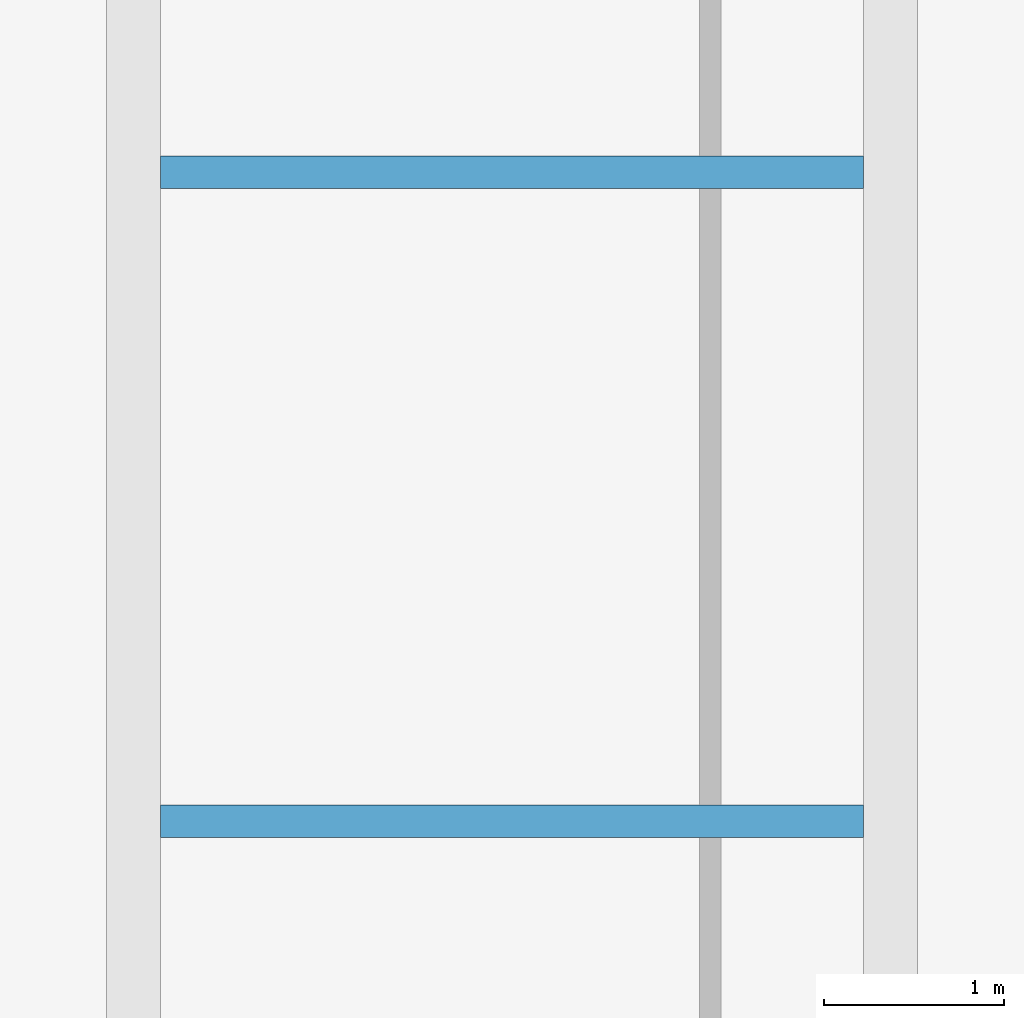
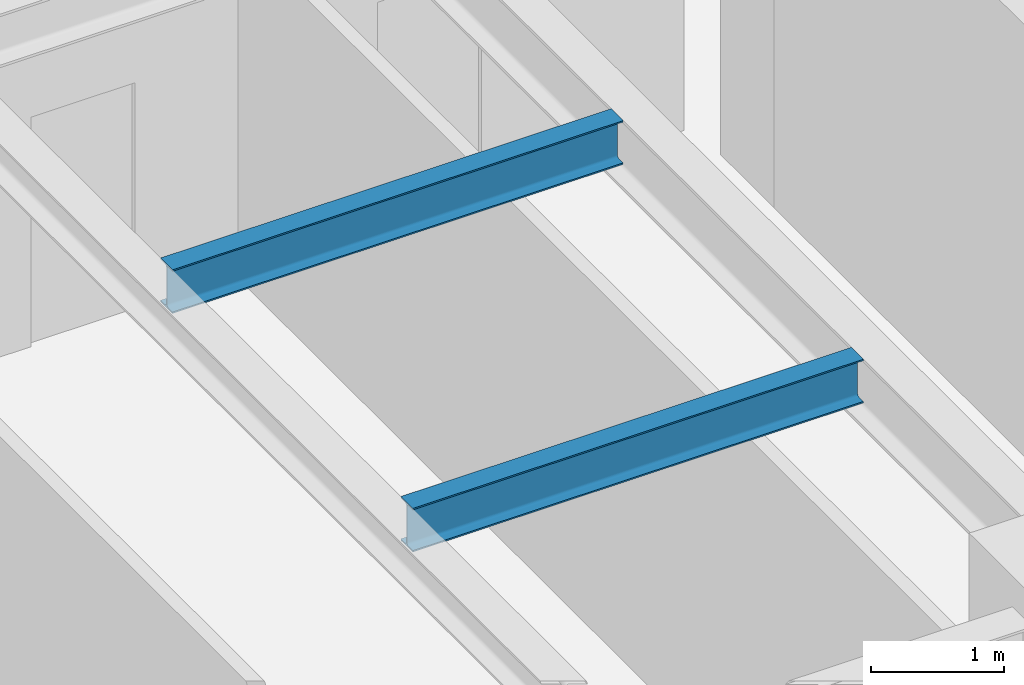
# One storey, part 6 of 24: 2 beams.
"""IFC4 building model written with IfcOpenShell, lengths in metres."""

import ifcopenshell
import ifcopenshell.guid

model = None  # the IFC model being written
_history = None  # IfcOwnerHistory: only IFC2X3 demands one
_inside = {}  # id of a spatial element -> (the spatial element, [elements in it])
_under = {}  # id of a project, library or spatial element -> (it, [spatial elements below it])
_declared = {}  # id of a project -> (the project, [libraries it declares])
_typed = {}  # id of a type object -> (the type object, [elements of that type])
_made_of = {}  # id of a material, layer set ... -> (it, [elements and type objects made of it])


def new_model(schema):
    """Start an empty IFC model of exactly this schema.

    Asked for "IFC4X3", IfcOpenShell would pick the latest addendum, in which some entities
    have other attributes; the version numbers below select the first issue.
    IFC2X3 requires an IfcOwnerHistory on every rooted entity: one is made here for all.
    """
    global model, _history
    if schema == "IFC4X3":
        model = ifcopenshell.file(schema_version=(4, 3, 0, 0))
    else:
        model = ifcopenshell.file(schema=schema)
    _inside.clear()
    _under.clear()
    _declared.clear()
    _typed.clear()
    _made_of.clear()
    _history = None
    if model.schema == "IFC2X3":
        org = make("IfcOrganization", Name="unknown")
        user = make(
            "IfcPersonAndOrganization",
            ThePerson=make("IfcPerson", FamilyName="unknown"),
            TheOrganization=org,
        )
        app = make(
            "IfcApplication",
            ApplicationDeveloper=org,
            Version="unknown",
            ApplicationFullName="unknown",
            ApplicationIdentifier="unknown",
        )
        _history = make(
            "IfcOwnerHistory",
            OwningUser=user,
            OwningApplication=app,
            ChangeAction="ADDED",
            CreationDate=0,
        )
    return model


def make(cls, **values):
    """One entity of the class cls with the attributes given. An attribute that is None is left unset."""
    return model.create_entity(
        cls, **{name: value for name, value in values.items() if value is not None}
    )


def rooted(cls, **values):
    """An entity with a GlobalId (a new one), such as an element, a storey or a relation."""
    return make(cls, GlobalId=ifcopenshell.guid.new(), OwnerHistory=_history, **values)


def si_unit(unit_type, name, prefix=None):
    """IfcSIUnit, for example si_unit("LENGTHUNIT", "METRE", prefix="MILLI")."""
    return make("IfcSIUnit", UnitType=unit_type, Prefix=prefix, Name=name)


def assignment(units):
    """IfcUnitAssignment: the units of a project."""
    return None if units is None else make("IfcUnitAssignment", Units=units)


def point(xyz):
    """IfcCartesianPoint."""
    return None if xyz is None else make("IfcCartesianPoint", Coordinates=xyz)


def direction(xyz):
    """IfcDirection."""
    return None if xyz is None else make("IfcDirection", DirectionRatios=xyz)


def frame(location, z_axis=None, x_axis=None):
    """IfcAxis2Placement3D, a coordinate frame: its origin and axes. An axis left out is left unset."""
    return make(
        "IfcAxis2Placement3D",
        Location=point(location),
        Axis=direction(z_axis),
        RefDirection=direction(x_axis),
    )


def frame_2d(location, x_axis=None):
    """IfcAxis2Placement2D, a coordinate frame in the plane: its origin and x axis."""
    return make(
        "IfcAxis2Placement2D", Location=point(location), RefDirection=direction(x_axis)
    )


def origin():
    """The frame at (0, 0, 0) with its axes left unset."""
    return frame((0.0, 0.0, 0.0))


def origin_2d():
    """The frame at (0, 0) in the plane with its x axis left unset."""
    return frame_2d((0.0, 0.0))


def place(relative_to, where):
    """IfcLocalPlacement: puts the frame where relative to a parent placement (None: the world)."""
    return make(
        "IfcLocalPlacement", PlacementRelTo=relative_to, RelativePlacement=where
    )


def context(
    kind, dimensions, precision=None, world=None, true_north=None, identifier=None
):
    """IfcGeometricRepresentationContext, for example the 3D "Model" context."""
    return make(
        "IfcGeometricRepresentationContext",
        ContextIdentifier=identifier,
        ContextType=kind,
        CoordinateSpaceDimension=dimensions,
        Precision=precision,
        WorldCoordinateSystem=world,
        TrueNorth=true_north,
    )


def subcontext(parent, identifier, kind, view, scale=None):
    """IfcGeometricRepresentationSubContext, for example "Body" below "Model"."""
    return make(
        "IfcGeometricRepresentationSubContext",
        ContextIdentifier=identifier,
        ContextType=kind,
        ParentContext=parent,
        TargetScale=scale,
        TargetView=view,
    )


def project(units=None, contexts=None):
    """IfcProject with its units and contexts."""
    return rooted(
        "IfcProject",
        Name="project",
        RepresentationContexts=contexts,
        UnitsInContext=assignment(units),
    )


def spatial(cls, under=None, at=None, **own):
    """A site, building, storey or space (cls), placed at a placement, below another one or the project."""
    s = rooted(cls, ObjectPlacement=at, **own)
    if under is not None:
        _under.setdefault(under.id(), (under, []))[1].append(s)
    return s


def profile(cls, at=None, kind="AREA", **sizes):
    """A parametric profile (cls). Its sizes go by their IFC names, for example OverallWidth=200.0."""
    return make(cls, ProfileType=kind, Position=at, **sizes)


def i_section(**sizes):
    """IfcIShapeProfileDef."""
    return profile("IfcIShapeProfileDef", **sizes)


def extrude(swept, where, along, depth):
    """IfcExtrudedAreaSolid: the profile swept, set in the frame where, extruded along a direction by depth."""
    return make(
        "IfcExtrudedAreaSolid",
        SweptArea=swept,
        Position=where,
        ExtrudedDirection=direction(along),
        Depth=depth,
    )


def shape(context_of_items, identifier, shape_type, items):
    """IfcShapeRepresentation: the items that make up one representation, for example the "Body"."""
    return make(
        "IfcShapeRepresentation",
        ContextOfItems=context_of_items,
        RepresentationIdentifier=identifier,
        RepresentationType=shape_type,
        Items=items,
    )


def source(mapping_origin, context_of_items, identifier, shape_type, items):
    """IfcRepresentationMap: a shape defined once, which mapped items show again and again."""
    return make(
        "IfcRepresentationMap",
        MappingOrigin=mapping_origin,
        MappedRepresentation=shape(context_of_items, identifier, shape_type, items),
    )


def transform(
    local_origin,
    x_axis=None,
    y_axis=None,
    z_axis=None,
    scale=None,
    scale2=None,
    scale3=None,
    uniform=True,
):
    """IfcCartesianTransformationOperator3D, or its non-uniform kind. x_axis, y_axis, z_axis: its Axis1, 2, 3."""
    if uniform:
        return make(
            "IfcCartesianTransformationOperator3D",
            Axis1=direction(x_axis),
            Axis2=direction(y_axis),
            LocalOrigin=point(local_origin),
            Scale=scale,
            Axis3=direction(z_axis),
        )
    return make(
        "IfcCartesianTransformationOperator3DnonUniform",
        Axis1=direction(x_axis),
        Axis2=direction(y_axis),
        LocalOrigin=point(local_origin),
        Scale=scale,
        Axis3=direction(z_axis),
        Scale2=scale2,
        Scale3=scale3,
    )


def mapped(mapping_source, mapping_target):
    """IfcMappedItem: shows the shape of a source again, moved by a transform."""
    return make(
        "IfcMappedItem", MappingSource=mapping_source, MappingTarget=mapping_target
    )


def material(Name=None, Category=None):
    """IfcMaterial."""
    return make("IfcMaterial", Name=Name, Category=Category)


def material_profile(
    of_material, cross_section, Name=None, Category=None, Priority=None
):
    """IfcMaterialProfile: a cross section and its material."""
    return make(
        "IfcMaterialProfile",
        Name=Name,
        Material=of_material,
        Profile=cross_section,
        Priority=Priority,
        Category=Category,
    )


def profile_set(profiles, Name=None, composite=None):
    """IfcMaterialProfileSet."""
    return make(
        "IfcMaterialProfileSet",
        Name=Name,
        MaterialProfiles=profiles,
        CompositeProfile=composite,
    )


def made_of(thing, what):
    """Note that an element or type object is made of a material, layer set ...; save() writes the relation."""
    if what is not None:
        _made_of.setdefault(what.id(), (what, []))[1].append(thing)
    return thing


def type_object(cls, material=None, **own):
    """A type object (cls), such as IfcWallType, which elements share."""
    return made_of(rooted(cls, **own), material)


def type_shapes(of_type, sources):
    """Give a type object the sources (RepresentationMaps) that its elements show as mapped items."""
    of_type.RepresentationMaps = sources


def element(
    cls,
    number,
    at=None,
    inside=None,
    cuts=None,
    type_object=None,
    material=None,
    context=None,
    identifier="Body",
    shape_type=None,
    held_by="IfcProductDefinitionShape",
    body=None,
    shapes=None,
    **own,
):
    """One element of the class cls, such as IfcWall. Its Tag is "e" and its number.

    at: its placement. inside: the storey or other place that contains it. cuts: it is an
    opening in that element (IfcRelVoidsElement). A single representation is given by context,
    identifier, shape_type and body (its items); several are given by shapes. held_by: the class
    of the entity that holds the representations. save() writes the other relations.
    """
    e = rooted(cls, Tag="e%d" % number, ObjectPlacement=at, **own)
    if body is not None:
        shapes = [shape(context, identifier, shape_type, body)]
    if shapes is not None:
        e.Representation = make(held_by, Representations=shapes)
    if inside is not None:
        _inside.setdefault(inside.id(), (inside, []))[1].append(e)
    if cuts is not None:
        rooted(
            "IfcRelVoidsElement", RelatingBuildingElement=cuts, RelatedOpeningElement=e
        )
    if type_object is not None:
        _typed.setdefault(type_object.id(), (type_object, []))[1].append(e)
    return made_of(e, material)


def aggregate(whole, parts):
    """IfcRelAggregates: a whole, such as a stair, and the parts it consists of."""
    return rooted("IfcRelAggregates", RelatingObject=whole, RelatedObjects=parts)


def save(model, path):
    """Write the relations noted so far, then the file.

    IfcRelAggregates (storeys below a building ...), IfcRelContainedInSpatialStructure (elements
    in a storey), IfcRelDefinesByType, IfcRelAssociatesMaterial and IfcRelDeclares: one each for
    every whole, place, type object, material and project.
    """
    for whole, parts in _under.values():
        aggregate(whole, parts)
    for where, things in _inside.values():
        rooted(
            "IfcRelContainedInSpatialStructure",
            RelatedElements=things,
            RelatingStructure=where,
        )
    for kind, things in _typed.values():
        rooted("IfcRelDefinesByType", RelatedObjects=things, RelatingType=kind)
    for what, things in _made_of.values():
        rooted("IfcRelAssociatesMaterial", RelatedObjects=things, RelatingMaterial=what)
    for by, libraries in _declared.values():
        rooted("IfcRelDeclares", RelatingContext=by, RelatedDefinitions=libraries)
    model.write(path)


model = new_model("IFC4")

# Units and contexts
model_context = context("Model", 3, precision=1e-05, world=origin(), true_north=direction((0.0, 1.0)))
body_context = subcontext(model_context, "Body", "Model", "MODEL_VIEW")
ifc_project = project(units=[si_unit("LENGTHUNIT", "METRE"), si_unit("AREAUNIT", "SQUARE_METRE"), si_unit("VOLUMEUNIT", "CUBIC_METRE"), si_unit("PLANEANGLEUNIT", "RADIAN"), si_unit("MASSUNIT", "GRAM", prefix="KILO")], contexts=[model_context])

# Site, building, storey
site_placement = place(None, origin())
site = spatial("IfcSite", under=ifc_project, at=site_placement, CompositionType="ELEMENT")
building_placement = place(site_placement, origin())
building = spatial("IfcBuilding", under=site, at=building_placement, Name="Krantzveldt Concourse Tower", CompositionType="ELEMENT")
storey_placement = place(building_placement, frame((0.0, 0.0, 234.949951171875)))
storey = spatial("IfcBuildingStorey", under=building, at=storey_placement, Name="L57", CompositionType="ELEMENT", Elevation=234.949951171875)

# Beams
ifc_material = material(Name="Steel S355JR", Category="steel")
ifc_material_profile = material_profile(ifc_material, i_section(OverallWidth=0.179931640625, OverallDepth=0.39990234375, WebThickness=0.008544921875, FlangeThickness=0.013427734375, FilletRadius=0.02099609375, at=origin_2d()), Name="Steel S355JR", Category="steel")
ifc_profile_set = profile_set([ifc_material_profile], Name="Steel S355JR - IPE 400")
beam_type = type_object("IfcBeamType", Name="BM-J-IPE400", PredefinedType="JOIST", material=ifc_profile_set)
shared_shape = source(origin(), body_context, "Body", "SweptSolid", [
    extrude(i_section(OverallWidth=0.179931640625, OverallDepth=0.39990234375, WebThickness=0.008544921875, FlangeThickness=0.013427734375, FilletRadius=0.02099609375, at=origin_2d()), origin(), (0.0, 0.0, 1.0), 3.900146484375),
])
type_shapes(beam_type, [shared_shape])
for number, where, z_axis, x_axis, name in (
    (1, (21.14990234375, 19.5, 3.469970703125), (1.0, 0.0, 0.0), (0.0, 1.0, 0.0), "L57 Secondary Floor Joist JW-1"),
    (2, (21.14990234375, 23.10009765625, 3.469970703125), (1.0, 0.0, 0.0), (0.0, 1.0, 0.0), "L57 Secondary Floor Joist JW-2"),
):
    element("IfcBeam", number, at=place(storey_placement, frame(where, z_axis=z_axis, x_axis=x_axis)), inside=storey, type_object=beam_type, Name=name, PredefinedType="JOIST", context=body_context, shape_type="MappedRepresentation", body=[
        mapped(shared_shape, transform((0.0, 0.0, 0.0), x_axis=(1.0, 0.0, 0.0), y_axis=(0.0, 1.0, 0.0), z_axis=(0.0, 0.0, 1.0), scale=1.0)),
    ])

save(model, "model.ifc")
